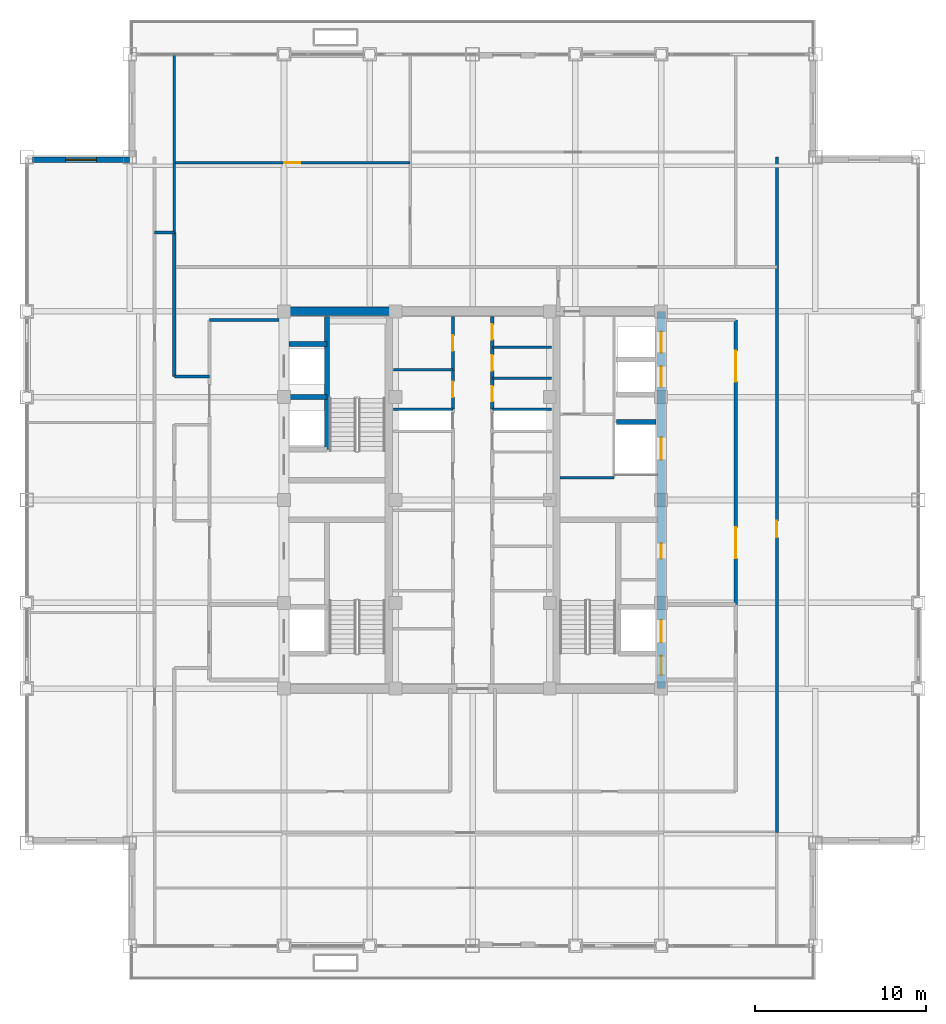
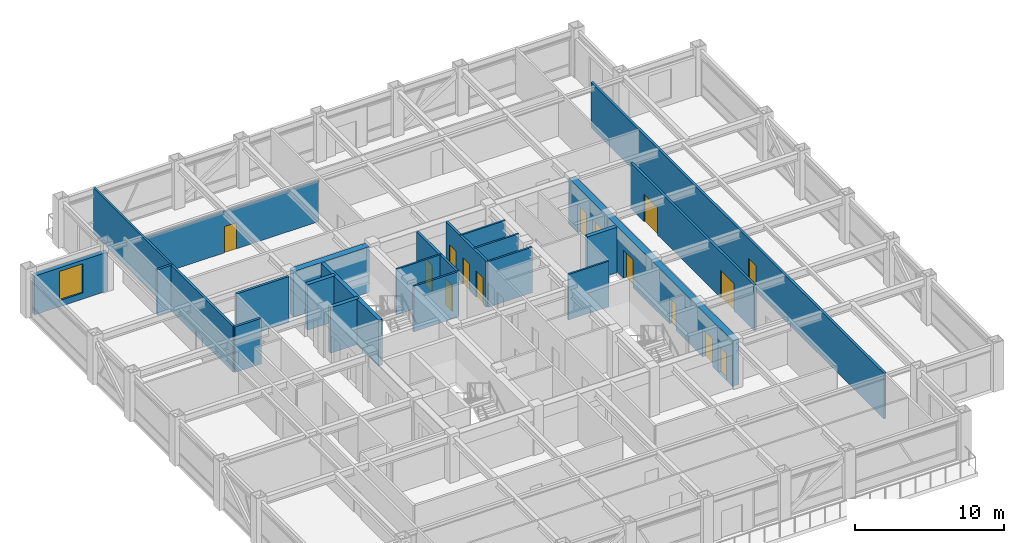
# One storey, part 26 of 30: 23 walls, 15 doors, 1 window, 16 openings.
"""IFC4 building model written with IfcOpenShell, lengths in metres."""

from ifc_helpers import new_model, si_unit, direction, frame, frame_2d, origin, place, context, subcontext, project, spatial, rectangle, extrude, source, transform, mapped, material, layer, layer_set, type_object, element, fill, save


model = new_model("IFC4")

# Units and contexts
model_context = context("Model", 3, precision=1e-05, world=origin(), true_north=direction((0.0, 1.0)))
body_context = subcontext(model_context, "Body", "Model", "MODEL_VIEW")
ifc_project = project(units=[si_unit("LENGTHUNIT", "METRE"), si_unit("AREAUNIT", "SQUARE_METRE"), si_unit("VOLUMEUNIT", "CUBIC_METRE"), si_unit("PLANEANGLEUNIT", "RADIAN"), si_unit("MASSUNIT", "GRAM", prefix="KILO")], contexts=[model_context])

# Site, building, storey
site_placement = place(None, origin())
site = spatial("IfcSite", under=ifc_project, at=site_placement, CompositionType="ELEMENT")
building_placement = place(site_placement, origin())
building = spatial("IfcBuilding", under=site, at=building_placement, Name="Khorayat Bourse Tower", CompositionType="ELEMENT")
storey_placement = place(building_placement, frame((0.0, 0.0, 326.300048828125)))
storey = spatial("IfcBuildingStorey", under=building, at=storey_placement, Name="L77", CompositionType="ELEMENT", Elevation=326.300048828125)

# Wall, openings, doors
ifc_material_1 = material(Name="Concrete C52/65", Category="concrete")
ifc_layer_1 = layer(ifc_material_1, 0.5)
ifc_layer_set_1 = layer_set([ifc_layer_1], Name="Concrete C52/65")
wall_type_1 = type_object("IfcWallType", Name="WAL-CORE-500", PredefinedType="SHEAR", material=ifc_layer_set_1)
shared_shape_1 = source(origin(), body_context, "Body", "SweptSolid", [
    extrude(rectangle(XDim=22.0, YDim=0.5, at=frame_2d((11.0, 0.0))), origin(), (0.0, 0.0, 1.0), 3.739990234375),
])
wall_1_placement = place(storey_placement, frame((11.0, -11.0, 0.0), z_axis=(0.0, 0.0, 1.0), x_axis=(0.0, 1.0, 0.0)))
wall_1 = element("IfcWall", 1, at=wall_1_placement, inside=storey, type_object=wall_type_1, Name="L77 Core Shear Wall CORE-E", PredefinedType="SHEAR", context=body_context, shape_type="MappedRepresentation", body=[
    mapped(shared_shape_1, transform((0.0, 0.0, 0.0), scale=1.0)),
])
shared_shape_2 = source(origin(), body_context, "Body", "SweptSolid", [
    extrude(rectangle(XDim=1.10009765625, YDim=2.199951171875, at=frame_2d((0.550048828125, 1.10009765625))), frame((0.0, 0.260009765625, 0.0), z_axis=(0.0, -1.0, 0.0), x_axis=(1.0, 0.0, 0.0)), (0.0, 0.0, 1.0), 0.52001953125),
])
opening_1_placement = place(wall_1_placement, frame((0.800048828125, 0.0, 0.0)))
opening_1 = element("IfcOpeningElement", 2, at=opening_1_placement, cuts=wall_1, Name="Opening DI-01", PredefinedType="OPENING", context=body_context, shape_type="MappedRepresentation", body=[
    mapped(shared_shape_2, transform((0.0, 0.0, 0.0), scale=1.0)),
])
shared_shape_3 = source(origin(), body_context, "Body", "SweptSolid", [
    extrude(rectangle(XDim=0.89990234375, YDim=2.14990234375, at=frame_2d((0.449951171875, 1.074951171875))), frame((0.0, 0.260009765625, 0.0), z_axis=(0.0, -1.0, 0.0), x_axis=(1.0, 0.0, 0.0)), (0.0, 0.0, 1.0), 0.52001953125),
])
opening_2_placement = place(wall_1_placement, frame((7.574951171875, 0.0, 0.0)))
opening_2 = element("IfcOpeningElement", 3, at=opening_2_placement, cuts=wall_1, Name="Opening DI-06", PredefinedType="OPENING", context=body_context, shape_type="MappedRepresentation", body=[
    mapped(shared_shape_3, transform((0.0, 0.0, 0.0), scale=1.0)),
])
shared_shape_4 = source(origin(), body_context, "Body", "SweptSolid", [
    extrude(rectangle(XDim=1.199951171875, YDim=2.300048828125, at=frame_2d((0.60009765625, 1.14990234375))), frame((0.0, 0.260009765625, 0.0), z_axis=(0.0, -1.0, 0.0), x_axis=(1.0, 0.0, 0.0)), (0.0, 0.0, 1.0), 0.52001953125),
])
opening_3_placement = place(wall_1_placement, frame((17.60009765625, 0.0, 0.0)))
opening_3 = element("IfcOpeningElement", 4, at=opening_3_placement, cuts=wall_1, Name="Opening LD-01", PredefinedType="OPENING", context=body_context, shape_type="MappedRepresentation", body=[
    mapped(shared_shape_4, transform((0.0, 0.0, 0.0), scale=1.0)),
])
opening_4_placement = place(wall_1_placement, frame((19.60009765625, 0.0, 0.0)))
opening_4 = element("IfcOpeningElement", 5, at=opening_4_placement, cuts=wall_1, Name="Opening LD-01", PredefinedType="OPENING", context=body_context, shape_type="MappedRepresentation", body=[
    mapped(shared_shape_4, transform((0.0, 0.0, 0.0), scale=1.0)),
])
shared_shape_5 = source(origin(), body_context, "Body", "SweptSolid", [
    extrude(rectangle(XDim=1.300048828125, YDim=2.300048828125, at=frame_2d((0.64990234375, 1.14990234375))), frame((0.0, 0.260009765625, 0.0), z_axis=(0.0, -1.0, 0.0), x_axis=(1.0, 0.0, 0.0)), (0.0, 0.0, 1.0), 0.52001953125),
])
opening_5_placement = place(wall_1_placement, frame((2.699951171875, 0.0, 0.0)))
opening_5 = element("IfcOpeningElement", 6, at=opening_5_placement, cuts=wall_1, Name="Opening LD-02", PredefinedType="OPENING", context=body_context, shape_type="MappedRepresentation", body=[
    mapped(shared_shape_5, transform((0.0, 0.0, 0.0), scale=1.0)),
])
opening_6_placement = place(wall_1_placement, frame((13.35009765625, 0.0, 0.0)))
opening_6 = element("IfcOpeningElement", 7, at=opening_6_placement, cuts=wall_1, Name="Opening LD-02", PredefinedType="OPENING", context=body_context, shape_type="MappedRepresentation", body=[
    mapped(shared_shape_5, transform((0.0, 0.0, 0.0), scale=1.0)),
])
ifc_material_2 = material(Name="Fire-rated steel acoustic leaf", Category="steel")
door_type_1 = type_object("IfcDoorType", Name="DR-INT-STAIR-1100", OperationType="NOTDEFINED", PredefinedType="DOOR", material=ifc_material_2)
shared_shape_6 = source(origin(), body_context, "Body", "SweptSolid", [
    extrude(rectangle(XDim=1.10009765625, YDim=2.199951171875, at=frame_2d((0.550048828125, 1.10009765625))), frame((0.0, 0.02490234375, 0.0), z_axis=(0.0, -1.0, 0.0), x_axis=(1.0, 0.0, 0.0)), (0.0, 0.0, 1.0), 0.050048828125),
])
door_1_placement = place(opening_1_placement, origin())
door_1 = element("IfcDoor", 8, at=door_1_placement, inside=storey, type_object=door_type_1, Name="L77 Exit Stair 3 Door", OperationType="SINGLE_SWING_LEFT", OverallHeight=2.199951171875, OverallWidth=1.10009765625, PredefinedType="DOOR", context=body_context, shape_type="MappedRepresentation", body=[
    mapped(shared_shape_6, transform((0.0, 0.0, 0.0), scale=1.0)),
])
fill(opening_1, door_1)
ifc_material_3 = material(Name="Moisture-resistant laminate washroom door")
door_type_2 = type_object("IfcDoorType", Name="DR-INT-WC-900", OperationType="NOTDEFINED", PredefinedType="DOOR", material=ifc_material_3)
shared_shape_7 = source(origin(), body_context, "Body", "SweptSolid", [
    extrude(rectangle(XDim=0.89990234375, YDim=2.14990234375, at=frame_2d((0.449951171875, 1.074951171875))), frame((0.0, 0.02490234375, 0.0), z_axis=(0.0, -1.0, 0.0), x_axis=(1.0, 0.0, 0.0)), (0.0, 0.0, 1.0), 0.050048828125),
])
door_2_placement = place(opening_2_placement, origin())
door_2 = element("IfcDoor", 9, at=door_2_placement, inside=storey, type_object=door_type_2, Name="L77 Fiber Server Plant Room Door", OperationType="SINGLE_SWING_LEFT", OverallHeight=2.14990234375, OverallWidth=0.89990234375, PredefinedType="DOOR", context=body_context, shape_type="MappedRepresentation", body=[
    mapped(shared_shape_7, transform((0.0, 0.0, 0.0), scale=1.0)),
])
fill(opening_2, door_2)
ifc_material_4 = material(Name="Brushed bronze stainless-steel sliding door", Category="steel")
door_type_3 = type_object("IfcDoorType", Name="DR-LIFT-PASS-1200", OperationType="NOTDEFINED", PredefinedType="DOOR", material=ifc_material_4)
shared_shape_8 = source(origin(), body_context, "Body", "SweptSolid", [
    extrude(rectangle(XDim=1.199951171875, YDim=2.300048828125, at=frame_2d((0.60009765625, 1.14990234375))), frame((0.0, 0.02490234375, 0.0), z_axis=(0.0, -1.0, 0.0), x_axis=(1.0, 0.0, 0.0)), (0.0, 0.0, 1.0), 0.050048828125),
])
door_3_placement = place(opening_3_placement, origin())
door_3 = element("IfcDoor", 10, at=door_3_placement, inside=storey, type_object=door_type_3, Name="L77 Lift PL-H3 Sliding Landing Door", OperationType="SLIDING_TO_LEFT", OverallHeight=2.300048828125, OverallWidth=1.199951171875, PredefinedType="DOOR", context=body_context, shape_type="MappedRepresentation", body=[
    mapped(shared_shape_8, transform((0.0, 0.0, 0.0), scale=1.0)),
])
fill(opening_3, door_3)
door_4_placement = place(opening_4_placement, origin())
door_4 = element("IfcDoor", 11, at=door_4_placement, inside=storey, type_object=door_type_3, Name="L77 Lift PL-H4 Sliding Landing Door", OperationType="SLIDING_TO_LEFT", OverallHeight=2.300048828125, OverallWidth=1.199951171875, PredefinedType="DOOR", context=body_context, shape_type="MappedRepresentation", body=[
    mapped(shared_shape_8, transform((0.0, 0.0, 0.0), scale=1.0)),
])
fill(opening_4, door_4)
ifc_material_5 = material(Name="Fire-rated stainless-steel sliding landing door", Category="steel")
door_type_4 = type_object("IfcDoorType", Name="DR-LIFT-FF-1300", OperationType="NOTDEFINED", PredefinedType="DOOR", material=ifc_material_5)
shared_shape_9 = source(origin(), body_context, "Body", "SweptSolid", [
    extrude(rectangle(XDim=1.300048828125, YDim=2.300048828125, at=frame_2d((0.64990234375, 1.14990234375))), frame((0.0, 0.02490234375, 0.0), z_axis=(0.0, -1.0, 0.0), x_axis=(1.0, 0.0, 0.0)), (0.0, 0.0, 1.0), 0.050048828125),
])
door_5_placement = place(opening_5_placement, origin())
door_5 = element("IfcDoor", 12, at=door_5_placement, inside=storey, type_object=door_type_4, Name="L77 Lift FFL-02 Sliding Landing Door", OperationType="SLIDING_TO_LEFT", OverallHeight=2.300048828125, OverallWidth=1.300048828125, PredefinedType="DOOR", context=body_context, shape_type="MappedRepresentation", body=[
    mapped(shared_shape_9, transform((0.0, 0.0, 0.0), scale=1.0)),
])
fill(opening_5, door_5)
door_6_placement = place(opening_6_placement, origin())
door_6 = element("IfcDoor", 13, at=door_6_placement, inside=storey, type_object=door_type_4, Name="L77 Lift SVL-01 Sliding Landing Door", OperationType="SLIDING_TO_LEFT", OverallHeight=2.300048828125, OverallWidth=1.300048828125, PredefinedType="DOOR", context=body_context, shape_type="MappedRepresentation", body=[
    mapped(shared_shape_9, transform((0.0, 0.0, 0.0), scale=1.0)),
])
fill(opening_6, door_6)

# Wall
shared_shape_10 = source(origin(), body_context, "Body", "SweptSolid", [
    extrude(rectangle(XDim=5.89990234375, YDim=0.5, at=frame_2d((2.949951171875, 0.0))), origin(), (0.0, 0.0, 1.0), 3.739990234375),
])
wall_2_placement = place(storey_placement, frame((-10.75, 11.0, 0.0), z_axis=(0.0, 0.0, 1.0), x_axis=(1.0, 0.0, 0.0)))
element("IfcWall", 14, at=wall_2_placement, inside=storey, type_object=wall_type_1, Name="L77 Core Shear Wall PIER-WN", PredefinedType="SHEAR", context=body_context, shape_type="MappedRepresentation", body=[
    mapped(shared_shape_10, transform((0.0, 0.0, 0.0), scale=1.0)),
])

# Wall, opening, window
ifc_material_6 = material(Name="Precast concrete C45/55", Category="concrete")
ifc_layer_2 = layer(ifc_material_6, 0.320068359375)
ifc_layer_set_2 = layer_set([ifc_layer_2], Name="Precast concrete C45/55")
wall_type_2 = type_object("IfcWallType", Name="WAL-EXT-STONE-320", PredefinedType="STANDARD", material=ifc_layer_set_2)
shared_shape_11 = source(origin(), body_context, "Body", "SweptSolid", [
    extrude(rectangle(XDim=5.679931640625, YDim=0.320068359375, at=frame_2d((2.83984375, 0.0))), origin(), (0.0, 0.0, 1.0), 3.19091796875),
])
wall_3_placement = place(storey_placement, frame((-20.0, 19.840087890625, 0.0), z_axis=(0.0, 0.0, 1.0), x_axis=(-1.0, 0.0, 0.0)))
wall_3 = element("IfcWall", 15, at=wall_3_placement, inside=storey, type_object=wall_type_2, Name="L77 Re-Entrant Notch Limestone Wall NW-H", PredefinedType="STANDARD", context=body_context, shape_type="MappedRepresentation", body=[
    mapped(shared_shape_11, transform((0.0, 0.0, 0.0), scale=1.0)),
])
shared_shape_12 = source(origin(), body_context, "Body", "SweptSolid", [
    extrude(rectangle(XDim=1.800048828125, YDim=2.39990234375, at=frame_2d((0.89990234375, 1.199951171875))), frame((0.0, 0.169921875, 0.0), z_axis=(0.0, -1.0, 0.0), x_axis=(1.0, 0.0, 0.0)), (0.0, 0.0, 1.0), 0.340087890625),
])
opening_7_placement = place(wall_3_placement, frame((1.93994140625, 0.0, 0.5)))
opening_7 = element("IfcOpeningElement", 16, at=opening_7_placement, cuts=wall_3, Name="Opening WN-04", PredefinedType="OPENING", context=body_context, shape_type="MappedRepresentation", body=[
    mapped(shared_shape_12, transform((0.0, 0.0, 0.0), scale=1.0)),
])
ifc_material_7 = material(Name="Low-E acoustic laminated double glazing", Category="glass")
window_type = type_object("IfcWindowType", Name="WIN-NOTCH-1800x2400", PartitioningType="SINGLE_PANEL", PredefinedType="WINDOW", material=ifc_material_7)
shared_shape_13 = source(origin(), body_context, "Body", "SweptSolid", [
    extrude(rectangle(XDim=1.800048828125, YDim=2.39990234375, at=frame_2d((0.89990234375, 1.199951171875))), frame((0.0, 0.030029296875, 0.0), z_axis=(0.0, -1.0, 0.0), x_axis=(1.0, 0.0, 0.0)), (0.0, 0.0, 1.0), 0.06005859375),
])
window_placement = place(opening_7_placement, origin())
window = element("IfcWindow", 17, at=window_placement, inside=storey, type_object=window_type, Name="L77 Facade Window 1", OverallHeight=2.39990234375, OverallWidth=1.800048828125, PartitioningType="SINGLE_PANEL", PredefinedType="WINDOW", context=body_context, shape_type="MappedRepresentation", body=[
    mapped(shared_shape_13, transform((0.0, 0.0, 0.0), scale=1.0)),
])
fill(opening_7, window)

# Walls
ifc_material_8 = material(Name="Concrete C50/60", Category="concrete")
ifc_layer_3 = layer(ifc_material_8, 0.300048828125)
ifc_layer_set_3 = layer_set([ifc_layer_3], Name="Concrete C50/60")
wall_type_3 = type_object("IfcWallType", Name="WAL-SHAFT-300", PredefinedType="SHEAR", material=ifc_layer_set_3)
shared_shape_14 = source(origin(), body_context, "Body", "SweptSolid", [
    extrude(rectangle(XDim=2.199951171875, YDim=0.300048828125, at=frame_2d((1.10009765625, 0.0))), origin(), (0.0, 0.0, 1.0), 3.739990234375),
])
for number, where, z_axis, x_axis, name in (
    (18, (-10.699951171875, 6.0, 0.0), (0.0, 0.0, 1.0), (1.0, 0.0, 0.0), "L77 Partition WAL-L77-WPIER-H12"),
    (19, (-10.699951171875, 9.10009765625, 0.0), (0.0, 0.0, 1.0), (1.0, 0.0, 0.0), "L77 Partition WAL-L77-WPIER-H2N"),
):
    element("IfcWall", number, at=place(storey_placement, frame(where, z_axis=z_axis, x_axis=x_axis)), inside=storey, type_object=wall_type_3, Name=name, PredefinedType="SHEAR", context=body_context, shape_type="MappedRepresentation", body=[
        mapped(shared_shape_14, transform((0.0, 0.0, 0.0), scale=1.0)),
    ])
shared_shape_15 = source(origin(), body_context, "Body", "SweptSolid", [
    extrude(rectangle(XDim=7.75, YDim=0.300048828125, at=frame_2d((3.875, 0.0))), origin(), (0.0, 0.0, 1.0), 3.739990234375),
])
wall_4_placement = place(storey_placement, frame((-8.5, 2.949951171875, 0.0), z_axis=(0.0, 0.0, 1.0), x_axis=(0.0, 1.0, 0.0)))
element("IfcWall", 20, at=wall_4_placement, inside=storey, type_object=wall_type_3, Name="L77 Partition WAL-L77-WPIER-ST2S", PredefinedType="SHEAR", context=body_context, shape_type="MappedRepresentation", body=[
    mapped(shared_shape_15, transform((0.0, 0.0, 0.0), scale=1.0)),
])
shared_shape_16 = source(origin(), body_context, "Body", "SweptSolid", [
    extrude(rectangle(XDim=2.300048828125, YDim=0.300048828125, at=frame_2d((1.14990234375, 0.0))), origin(), (0.0, 0.0, 1.0), 3.739990234375),
])
wall_5_placement = place(storey_placement, frame((8.39990234375, 4.550048828125, 0.0), z_axis=(0.0, 0.0, 1.0), x_axis=(1.0, 0.0, 0.0)))
element("IfcWall", 21, at=wall_5_placement, inside=storey, type_object=wall_type_3, Name="L77 Partition WAL-L77-EPIER-SVLN", PredefinedType="SHEAR", context=body_context, shape_type="MappedRepresentation", body=[
    mapped(shared_shape_16, transform((0.0, 0.0, 0.0), scale=1.0)),
])
ifc_material_9 = material(Name="Moisture-resistant masonry partition", Category="masonry")
ifc_layer_4 = layer(ifc_material_9, 0.139892578125)
ifc_layer_set_4 = layer_set([ifc_layer_4], Name="Moisture-resistant masonry partition")
wall_type_4 = type_object("IfcWallType", Name="WAL-PART-WET-140", PredefinedType="PARTITIONING", material=ifc_layer_set_4)
shared_shape_17 = source(origin(), body_context, "Body", "SweptSolid", [
    extrude(rectangle(XDim=3.14990234375, YDim=0.139892578125, at=frame_2d((1.574951171875, 0.0))), origin(), (0.0, 0.0, 1.0), 3.739990234375),
])
wall_6_placement = place(storey_placement, frame((5.10009765625, 1.300048828125, 0.0), z_axis=(0.0, 0.0, 1.0), x_axis=(1.0, 0.0, 0.0)))
element("IfcWall", 22, at=wall_6_placement, inside=storey, type_object=wall_type_4, Name="L77 Partition WAL-L77-ECORE-S", PredefinedType="PARTITIONING", context=body_context, shape_type="MappedRepresentation", body=[
    mapped(shared_shape_17, transform((0.0, 0.0, 0.0), scale=1.0)),
])
ifc_material_10 = material(Name="Gypsum plasterboard acoustic stud wall")
ifc_layer_5 = layer(ifc_material_10, 0.179931640625)
ifc_layer_set_5 = layer_set([ifc_layer_5], Name="Gypsum plasterboard acoustic stud wall")
wall_type_5 = type_object("IfcWallType", Name="WAL-PART-CORR-180", PredefinedType="PARTITIONING", material=ifc_layer_set_5)
shared_shape_18 = source(origin(), body_context, "Body", "SweptSolid", [
    extrude(rectangle(XDim=4.050048828125, YDim=0.179931640625, at=frame_2d((2.02490234375, 0.0))), origin(), (0.0, 0.0, 1.0), 3.739990234375),
])
wall_7_placement = place(storey_placement, frame((-15.35009765625, 10.5, 0.0), z_axis=(0.0, 0.0, 1.0), x_axis=(1.0, 0.0, 0.0)))
element("IfcWall", 23, at=wall_7_placement, inside=storey, type_object=wall_type_5, Name="L77 Partition WAL-L77-WLOB-N", PredefinedType="PARTITIONING", context=body_context, shape_type="MappedRepresentation", body=[
    mapped(shared_shape_18, transform((0.0, 0.0, 0.0), scale=1.0)),
])

# Wall, openings, doors
shared_shape_19 = source(origin(), body_context, "Body", "SweptSolid", [
    extrude(rectangle(XDim=16.60009765625, YDim=0.179931640625, at=frame_2d((8.300048828125, 0.0))), origin(), (0.0, 0.0, 1.0), 3.739990234375),
])
wall_8_placement = place(storey_placement, frame((15.35009765625, -6.10009765625, 0.0), z_axis=(0.0, 0.0, 1.0), x_axis=(0.0, 1.0, 0.0)))
wall_8 = element("IfcWall", 24, at=wall_8_placement, inside=storey, type_object=wall_type_5, Name="L77 Partition WAL-L77-ELOB-E", PredefinedType="PARTITIONING", context=body_context, shape_type="MappedRepresentation", body=[
    mapped(shared_shape_19, transform((0.0, 0.0, 0.0), scale=1.0)),
])
shared_shape_20 = source(origin(), body_context, "Body", "SweptSolid", [
    extrude(rectangle(XDim=1.800048828125, YDim=2.25, at=frame_2d((0.89990234375, 1.125))), frame((0.0, 0.099853515625, 0.0), z_axis=(0.0, -1.0, 0.0), x_axis=(1.0, 0.0, 0.0)), (0.0, 0.0, 1.0), 0.199951171875),
])
opening_8_placement = place(wall_8_placement, frame((2.699951171875, 0.0, 0.0)))
opening_8 = element("IfcOpeningElement", 25, at=opening_8_placement, cuts=wall_8, Name="Opening DI-03", PredefinedType="OPENING", context=body_context, shape_type="MappedRepresentation", body=[
    mapped(shared_shape_20, transform((0.0, 0.0, 0.0), scale=1.0)),
])
opening_9_placement = place(wall_8_placement, frame((13.0, 0.0, 0.0)))
opening_9 = element("IfcOpeningElement", 26, at=opening_9_placement, cuts=wall_8, Name="Opening DI-03", PredefinedType="OPENING", context=body_context, shape_type="MappedRepresentation", body=[
    mapped(shared_shape_20, transform((0.0, 0.0, 0.0), scale=1.0)),
])
ifc_material_11 = material(Name="Fire-rated hardwood vision-panel double leaf", Category="wood")
door_type_5 = type_object("IfcDoorType", Name="DR-INT-CORR-1800", OperationType="NOTDEFINED", PredefinedType="DOOR", material=ifc_material_11)
shared_shape_21 = source(origin(), body_context, "Body", "SweptSolid", [
    extrude(rectangle(XDim=1.800048828125, YDim=2.25, at=frame_2d((0.89990234375, 1.125))), frame((0.0, 0.02490234375, 0.0), z_axis=(0.0, -1.0, 0.0), x_axis=(1.0, 0.0, 0.0)), (0.0, 0.0, 1.0), 0.050048828125),
])
door_7_placement = place(opening_8_placement, origin())
door_7 = element("IfcDoor", 27, at=door_7_placement, inside=storey, type_object=door_type_5, Name="L77 East Core Lobby South Door", OperationType="SINGLE_SWING_RIGHT", OverallHeight=2.25, OverallWidth=1.800048828125, PredefinedType="DOOR", context=body_context, shape_type="MappedRepresentation", body=[
    mapped(shared_shape_21, transform((0.0, 0.0, 0.0), scale=1.0)),
])
fill(opening_8, door_7)
door_8_placement = place(opening_9_placement, origin())
door_8 = element("IfcDoor", 28, at=door_8_placement, inside=storey, type_object=door_type_5, Name="L77 East Core Lobby North Door", OperationType="SINGLE_SWING_LEFT", OverallHeight=2.25, OverallWidth=1.800048828125, PredefinedType="DOOR", context=body_context, shape_type="MappedRepresentation", body=[
    mapped(shared_shape_21, transform((0.0, 0.0, 0.0), scale=1.0)),
])
fill(opening_9, door_8)

# Walls
ifc_material_12 = material(Name="Gypsum plasterboard twin-frame partition")
ifc_layer_6 = layer(ifc_material_12, 0.14990234375)
ifc_layer_set_6 = layer_set([ifc_layer_6], Name="Gypsum plasterboard twin-frame partition")
wall_type_6 = type_object("IfcWallType", Name="WAL-PART-SUITE-150", PredefinedType="PARTITIONING", material=ifc_layer_set_6)
shared_shape_22 = source(origin(), body_context, "Body", "SweptSolid", [
    extrude(rectangle(XDim=3.4501953125, YDim=0.14990234375, at=frame_2d((1.72509765625, 0.0))), origin(), (0.0, 0.0, 1.0), 3.739990234375),
])
for number, where, z_axis, x_axis, name in (
    (29, (-4.60009765625, 5.300048828125, 0.0), (0.0, 0.0, 1.0), (1.0, 0.0, 0.0), "L77 Partition WAL-L77-FB2-SW"),
    (30, (1.14990234375, 5.300048828125, 0.0), (0.0, 0.0, 1.0), (1.0, 0.0, 0.0), "L77 Partition WAL-L77-FB2-SE"),
):
    element("IfcWall", number, at=place(storey_placement, frame(where, z_axis=z_axis, x_axis=x_axis)), inside=storey, type_object=wall_type_6, Name=name, PredefinedType="PARTITIONING", context=body_context, shape_type="MappedRepresentation", body=[
        mapped(shared_shape_22, transform((0.0, 0.0, 0.0), scale=1.0)),
    ])
shared_shape_23 = source(origin(), body_context, "Body", "SweptSolid", [
    extrude(rectangle(XDim=3.4501953125, YDim=0.139892578125, at=frame_2d((1.72509765625, 0.0))), origin(), (0.0, 0.0, 1.0), 3.739990234375),
])
for number, where, z_axis, x_axis, name in (
    (31, (-4.60009765625, 7.60009765625, 0.0), (0.0, 0.0, 1.0), (1.0, 0.0, 0.0), "L77 Partition WAL-L77-FB2W-D1"),
    (32, (1.14990234375, 7.10009765625, 0.0), (0.0, 0.0, 1.0), (1.0, 0.0, 0.0), "L77 Partition WAL-L77-FB2E-D1"),
    (33, (1.14990234375, 8.89990234375, 0.0), (0.0, 0.0, 1.0), (1.0, 0.0, 0.0), "L77 Partition WAL-L77-FB2E-D2"),
):
    element("IfcWall", number, at=place(storey_placement, frame(where, z_axis=z_axis, x_axis=x_axis)), inside=storey, type_object=wall_type_4, Name=name, PredefinedType="PARTITIONING", context=body_context, shape_type="MappedRepresentation", body=[
        mapped(shared_shape_23, transform((0.0, 0.0, 0.0), scale=1.0)),
    ])

# Wall, openings, doors
shared_shape_24 = source(origin(), body_context, "Body", "SweptSolid", [
    extrude(rectangle(XDim=5.39990234375, YDim=0.179931640625, at=frame_2d((2.699951171875, 0.0))), origin(), (0.0, 0.0, 1.0), 3.739990234375),
])
wall_9_placement = place(storey_placement, frame((-1.14990234375, 5.300048828125, 0.0), z_axis=(0.0, 0.0, 1.0), x_axis=(0.0, 1.0, 0.0)))
wall_9 = element("IfcWall", 34, at=wall_9_placement, inside=storey, type_object=wall_type_5, Name="L77 Partition WAL-L77-FB2W-L", PredefinedType="PARTITIONING", context=body_context, shape_type="MappedRepresentation", body=[
    mapped(shared_shape_24, transform((0.0, 0.0, 0.0), scale=1.0)),
])
shared_shape_25 = source(origin(), body_context, "Body", "SweptSolid", [
    extrude(rectangle(XDim=0.89990234375, YDim=2.14990234375, at=frame_2d((0.449951171875, 1.074951171875))), frame((0.0, 0.099853515625, 0.0), z_axis=(0.0, -1.0, 0.0), x_axis=(1.0, 0.0, 0.0)), (0.0, 0.0, 1.0), 0.199951171875),
])
opening_10_placement = place(wall_9_placement, frame((0.699951171875, 0.0, 0.0)))
opening_10 = element("IfcOpeningElement", 35, at=opening_10_placement, cuts=wall_9, Name="Opening DI-06", PredefinedType="OPENING", context=body_context, shape_type="MappedRepresentation", body=[
    mapped(shared_shape_25, transform((0.0, 0.0, 0.0), scale=1.0)),
])
opening_11_placement = place(wall_9_placement, frame((3.39990234375, 0.0, 0.0)))
opening_11 = element("IfcOpeningElement", 36, at=opening_11_placement, cuts=wall_9, Name="Opening DI-06", PredefinedType="OPENING", context=body_context, shape_type="MappedRepresentation", body=[
    mapped(shared_shape_25, transform((0.0, 0.0, 0.0), scale=1.0)),
])
door_9_placement = place(opening_10_placement, origin())
door_9 = element("IfcDoor", 37, at=door_9_placement, inside=storey, type_object=door_type_2, Name="L77 Board Archive Store Door", OperationType="SINGLE_SWING_RIGHT", OverallHeight=2.14990234375, OverallWidth=0.89990234375, PredefinedType="DOOR", context=body_context, shape_type="MappedRepresentation", body=[
    mapped(shared_shape_7, transform((0.0, 0.0, 0.0), scale=1.0)),
])
fill(opening_10, door_9)
door_10_placement = place(opening_11_placement, origin())
door_10 = element("IfcDoor", 38, at=door_10_placement, inside=storey, type_object=door_type_2, Name="L77 Smoke Control Plant Room Door", OperationType="SINGLE_SWING_LEFT", OverallHeight=2.14990234375, OverallWidth=0.89990234375, PredefinedType="DOOR", context=body_context, shape_type="MappedRepresentation", body=[
    mapped(shared_shape_7, transform((0.0, 0.0, 0.0), scale=1.0)),
])
fill(opening_11, door_10)

wall_10_placement = place(storey_placement, frame((1.14990234375, 5.300048828125, 0.0), z_axis=(0.0, 0.0, 1.0), x_axis=(0.0, 1.0, 0.0)))
wall_10 = element("IfcWall", 39, at=wall_10_placement, inside=storey, type_object=wall_type_5, Name="L77 Partition WAL-L77-FB2E-L", PredefinedType="PARTITIONING", context=body_context, shape_type="MappedRepresentation", body=[
    mapped(shared_shape_24, transform((0.0, 0.0, 0.0), scale=1.0)),
])
opening_12_placement = place(wall_10_placement, frame((0.449951171875, 0.0, 0.0)))
opening_12 = element("IfcOpeningElement", 40, at=opening_12_placement, cuts=wall_10, Name="Opening DI-06", PredefinedType="OPENING", context=body_context, shape_type="MappedRepresentation", body=[
    mapped(shared_shape_25, transform((0.0, 0.0, 0.0), scale=1.0)),
])
opening_13_placement = place(wall_10_placement, frame((2.25, 0.0, 0.0)))
opening_13 = element("IfcOpeningElement", 41, at=opening_13_placement, cuts=wall_10, Name="Opening DI-06", PredefinedType="OPENING", context=body_context, shape_type="MappedRepresentation", body=[
    mapped(shared_shape_25, transform((0.0, 0.0, 0.0), scale=1.0)),
])
opening_14_placement = place(wall_10_placement, frame((4.050048828125, 0.0, 0.0)))
opening_14 = element("IfcOpeningElement", 42, at=opening_14_placement, cuts=wall_10, Name="Opening DI-06", PredefinedType="OPENING", context=body_context, shape_type="MappedRepresentation", body=[
    mapped(shared_shape_25, transform((0.0, 0.0, 0.0), scale=1.0)),
])
door_11_placement = place(opening_12_placement, origin())
door_11 = element("IfcDoor", 43, at=door_11_placement, inside=storey, type_object=door_type_2, Name="L77 Linen Store Door", OperationType="SINGLE_SWING_RIGHT", OverallHeight=2.14990234375, OverallWidth=0.89990234375, PredefinedType="DOOR", context=body_context, shape_type="MappedRepresentation", body=[
    mapped(shared_shape_7, transform((0.0, 0.0, 0.0), scale=1.0)),
])
fill(opening_12, door_11)
door_12_placement = place(opening_13_placement, origin())
door_12 = element("IfcDoor", 44, at=door_12_placement, inside=storey, type_object=door_type_2, Name="L77 Sub-Meter Room Door", OperationType="SINGLE_SWING_LEFT", OverallHeight=2.14990234375, OverallWidth=0.89990234375, PredefinedType="DOOR", context=body_context, shape_type="MappedRepresentation", body=[
    mapped(shared_shape_7, transform((0.0, 0.0, 0.0), scale=1.0)),
])
fill(opening_13, door_12)
door_13_placement = place(opening_14_placement, origin())
door_13 = element("IfcDoor", 45, at=door_13_placement, inside=storey, type_object=door_type_2, Name="L77 Records Store Door", OperationType="SINGLE_SWING_RIGHT", OverallHeight=2.14990234375, OverallWidth=0.89990234375, PredefinedType="DOOR", context=body_context, shape_type="MappedRepresentation", body=[
    mapped(shared_shape_7, transform((0.0, 0.0, 0.0), scale=1.0)),
])
fill(opening_14, door_13)

# Walls
shared_shape_26 = source(origin(), body_context, "Body", "SweptSolid", [
    extrude(rectangle(XDim=2.0498046875, YDim=0.179931640625, at=frame_2d((1.02490234375, 0.0))), origin(), (0.0, 0.0, 1.0), 3.739990234375),
])
wall_11_placement = place(storey_placement, frame((-17.39990234375, 7.199951171875, 0.0), z_axis=(0.0, 0.0, 1.0), x_axis=(1.0, 0.0, 0.0)))
element("IfcWall", 46, at=wall_11_placement, inside=storey, type_object=wall_type_5, Name="L77 Partition WAL-L77-THRWN-T", PredefinedType="PARTITIONING", context=body_context, shape_type="MappedRepresentation", body=[
    mapped(shared_shape_26, transform((0.0, 0.0, 0.0), scale=1.0)),
])
shared_shape_27 = source(origin(), body_context, "Body", "SweptSolid", [
    extrude(rectangle(XDim=8.400146484375, YDim=0.179931640625, at=frame_2d((4.2001953125, 0.0))), origin(), (0.0, 0.0, 1.0), 3.739990234375),
])
wall_12_placement = place(storey_placement, frame((-17.39990234375, 7.199951171875, 0.0), z_axis=(0.0, 0.0, 1.0), x_axis=(0.0, 1.0, 0.0)))
element("IfcWall", 47, at=wall_12_placement, inside=storey, type_object=wall_type_5, Name="L77 Partition WAL-L77-THRWN-N", PredefinedType="PARTITIONING", context=body_context, shape_type="MappedRepresentation", body=[
    mapped(shared_shape_27, transform((0.0, 0.0, 0.0), scale=1.0)),
])
shared_shape_28 = source(origin(), body_context, "Body", "SweptSolid", [
    extrude(rectangle(XDim=1.150146484375, YDim=0.179931640625, at=frame_2d((0.5751953125, 0.0))), origin(), (0.0, 0.0, 1.0), 3.739990234375),
])
wall_13_placement = place(storey_placement, frame((-18.550048828125, 15.60009765625, 0.0), z_axis=(0.0, 0.0, 1.0), x_axis=(1.0, 0.0, 0.0)))
element("IfcWall", 48, at=wall_13_placement, inside=storey, type_object=wall_type_5, Name="L77 Partition WAL-L77-GALW-N", PredefinedType="PARTITIONING", context=body_context, shape_type="MappedRepresentation", body=[
    mapped(shared_shape_28, transform((0.0, 0.0, 0.0), scale=1.0)),
])

# Wall, opening, door
ifc_material_13 = material(Name="Gypsum plasterboard partition")
ifc_layer_7 = layer(ifc_material_13, 0.125)
ifc_layer_set_7 = layer_set([ifc_layer_7], Name="Gypsum plasterboard partition")
wall_type_7 = type_object("IfcWallType", Name="WAL-PART-ROOM-125", PredefinedType="PARTITIONING", material=ifc_layer_set_7)
shared_shape_29 = source(origin(), body_context, "Body", "SweptSolid", [
    extrude(rectangle(XDim=13.7548828125, YDim=0.125, at=frame_2d((6.87744140625, 0.0))), origin(), (0.0, 0.0, 1.0), 3.39306640625),
])
wall_14_placement = place(storey_placement, frame((-17.39990234375, 19.676025390625, 0.0), z_axis=(0.0, 0.0, 1.0), x_axis=(1.0, 0.0, 0.0)))
wall_14 = element("IfcWall", 49, at=wall_14_placement, inside=storey, type_object=wall_type_7, Name="L77 Partition WAL-L77-NDP-1", PredefinedType="PARTITIONING", context=body_context, shape_type="MappedRepresentation", body=[
    mapped(shared_shape_29, transform((0.0, 0.0, 0.0), scale=1.0)),
])
shared_shape_30 = source(origin(), body_context, "Body", "SweptSolid", [
    extrude(rectangle(XDim=0.949951171875, YDim=2.14990234375, at=frame_2d((0.47509765625, 1.074951171875))), frame((0.0, 0.072509765625, 0.0), z_axis=(0.0, -1.0, 0.0), x_axis=(1.0, 0.0, 0.0)), (0.0, 0.0, 1.0), 0.14501953125),
])
opening_15_placement = place(wall_14_placement, frame((6.402587890625, 0.0, 0.0)))
opening_15 = element("IfcOpeningElement", 50, at=opening_15_placement, cuts=wall_14, Name="Opening DI-05", PredefinedType="OPENING", context=body_context, shape_type="MappedRepresentation", body=[
    mapped(shared_shape_30, transform((0.0, 0.0, 0.0), scale=1.0)),
])
ifc_material_14 = material(Name="Acoustic oak veneer office door")
door_type_6 = type_object("IfcDoorType", Name="DR-INT-OFFICE-950", OperationType="NOTDEFINED", PredefinedType="DOOR", material=ifc_material_14)
shared_shape_31 = source(origin(), body_context, "Body", "SweptSolid", [
    extrude(rectangle(XDim=0.949951171875, YDim=2.14990234375, at=frame_2d((0.47509765625, 1.074951171875))), frame((0.0, 0.02490234375, 0.0), z_axis=(0.0, -1.0, 0.0), x_axis=(1.0, 0.0, 0.0)), (0.0, 0.0, 1.0), 0.050048828125),
])
door_14_placement = place(opening_15_placement, origin())
door_14 = element("IfcDoor", 51, at=door_14_placement, inside=storey, type_object=door_type_6, Name="L77 Market Committee Conference Room N1B Door", OperationType="SINGLE_SWING_RIGHT", OverallHeight=2.14990234375, OverallWidth=0.949951171875, PredefinedType="DOOR", context=body_context, shape_type="MappedRepresentation", body=[
    mapped(shared_shape_31, transform((0.0, 0.0, 0.0), scale=1.0)),
])
fill(opening_15, door_14)

# Wall
shared_shape_32 = source(origin(), body_context, "Body", "SweptSolid", [
    extrude(rectangle(XDim=10.39990234375, YDim=0.14990234375, at=frame_2d((5.199951171875, 0.0))), origin(), (0.0, 0.0, 1.0), 3.739990234375),
])
wall_15_placement = place(storey_placement, frame((-17.39990234375, 15.60009765625, 0.0), z_axis=(0.0, 0.0, 1.0), x_axis=(0.0, 1.0, 0.0)))
element("IfcWall", 52, at=wall_15_placement, inside=storey, type_object=wall_type_6, Name="L77 Partition WAL-L77-NCW-END", PredefinedType="PARTITIONING", context=body_context, shape_type="MappedRepresentation", body=[
    mapped(shared_shape_32, transform((0.0, 0.0, 0.0), scale=1.0)),
])

# Wall, opening, door
shared_shape_33 = source(origin(), body_context, "Body", "SweptSolid", [
    extrude(rectangle(XDim=39.39990234375, YDim=0.179931640625, at=frame_2d((19.699951171875, 0.0))), origin(), (0.0, 0.0, 1.0), 3.739990234375),
])
wall_16_placement = place(storey_placement, frame((17.75, -19.39990234375, 0.0), z_axis=(0.0, 0.0, 1.0), x_axis=(0.0, 1.0, 0.0)))
wall_16 = element("IfcWall", 53, at=wall_16_placement, inside=storey, type_object=wall_type_5, Name="L77 Partition WAL-L77-ECORR", PredefinedType="PARTITIONING", context=body_context, shape_type="MappedRepresentation", body=[
    mapped(shared_shape_33, transform((0.0, 0.0, 0.0), scale=1.0)),
])
shared_shape_34 = source(origin(), body_context, "Body", "SweptSolid", [
    extrude(rectangle(XDim=0.949951171875, YDim=2.14990234375, at=frame_2d((0.47509765625, 1.074951171875))), frame((0.0, 0.099853515625, 0.0), z_axis=(0.0, -1.0, 0.0), x_axis=(1.0, 0.0, 0.0)), (0.0, 0.0, 1.0), 0.199951171875),
])
opening_16_placement = place(wall_16_placement, frame((17.22509765625, 0.0, 0.0)))
opening_16 = element("IfcOpeningElement", 54, at=opening_16_placement, cuts=wall_16, Name="Opening DI-05", PredefinedType="OPENING", context=body_context, shape_type="MappedRepresentation", body=[
    mapped(shared_shape_34, transform((0.0, 0.0, 0.0), scale=1.0)),
])
door_15_placement = place(opening_16_placement, origin())
door_15 = element("IfcDoor", 55, at=door_15_placement, inside=storey, type_object=door_type_6, Name="L77 Clearing Records Archive Store E1 Door", OperationType="SINGLE_SWING_RIGHT", OverallHeight=2.14990234375, OverallWidth=0.949951171875, PredefinedType="DOOR", context=body_context, shape_type="MappedRepresentation", body=[
    mapped(shared_shape_31, transform((0.0, 0.0, 0.0), scale=1.0)),
])
fill(opening_16, door_15)

save(model, "model.ifc")
